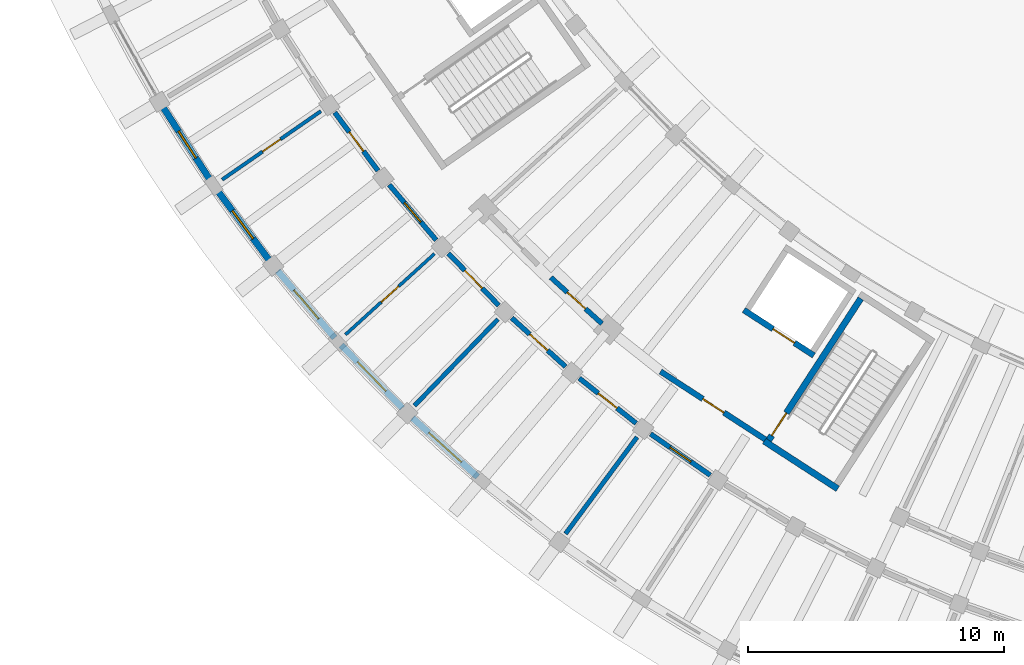
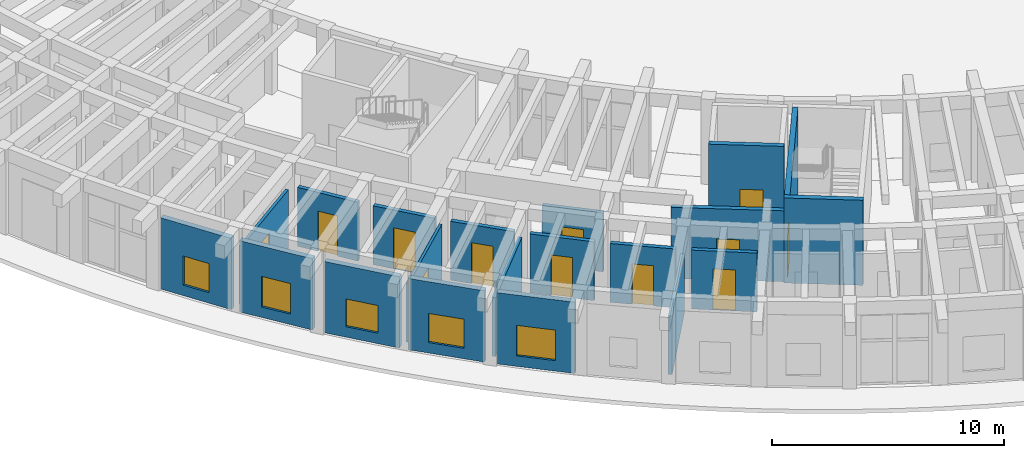
# One storey, part 86 of 132: 20 walls, 12 doors, 5 windows, 17 openings.
"""IFC4 building model written with IfcOpenShell, lengths in metres."""

import ifcopenshell
import ifcopenshell.guid

model = None  # the IFC model being written
_history = None  # IfcOwnerHistory: only IFC2X3 demands one
_inside = {}  # id of a spatial element -> (the spatial element, [elements in it])
_under = {}  # id of a project, library or spatial element -> (it, [spatial elements below it])
_declared = {}  # id of a project -> (the project, [libraries it declares])
_typed = {}  # id of a type object -> (the type object, [elements of that type])
_made_of = {}  # id of a material, layer set ... -> (it, [elements and type objects made of it])


def new_model(schema):
    """Start an empty IFC model of exactly this schema.

    Asked for "IFC4X3", IfcOpenShell would pick the latest addendum, in which some entities
    have other attributes; the version numbers below select the first issue.
    IFC2X3 requires an IfcOwnerHistory on every rooted entity: one is made here for all.
    """
    global model, _history
    if schema == "IFC4X3":
        model = ifcopenshell.file(schema_version=(4, 3, 0, 0))
    else:
        model = ifcopenshell.file(schema=schema)
    _inside.clear()
    _under.clear()
    _declared.clear()
    _typed.clear()
    _made_of.clear()
    _history = None
    if model.schema == "IFC2X3":
        org = make("IfcOrganization", Name="unknown")
        user = make(
            "IfcPersonAndOrganization",
            ThePerson=make("IfcPerson", FamilyName="unknown"),
            TheOrganization=org,
        )
        app = make(
            "IfcApplication",
            ApplicationDeveloper=org,
            Version="unknown",
            ApplicationFullName="unknown",
            ApplicationIdentifier="unknown",
        )
        _history = make(
            "IfcOwnerHistory",
            OwningUser=user,
            OwningApplication=app,
            ChangeAction="ADDED",
            CreationDate=0,
        )
    return model


def make(cls, **values):
    """One entity of the class cls with the attributes given. An attribute that is None is left unset."""
    return model.create_entity(
        cls, **{name: value for name, value in values.items() if value is not None}
    )


def rooted(cls, **values):
    """An entity with a GlobalId (a new one), such as an element, a storey or a relation."""
    return make(cls, GlobalId=ifcopenshell.guid.new(), OwnerHistory=_history, **values)


def si_unit(unit_type, name, prefix=None):
    """IfcSIUnit, for example si_unit("LENGTHUNIT", "METRE", prefix="MILLI")."""
    return make("IfcSIUnit", UnitType=unit_type, Prefix=prefix, Name=name)


def assignment(units):
    """IfcUnitAssignment: the units of a project."""
    return None if units is None else make("IfcUnitAssignment", Units=units)


def point(xyz):
    """IfcCartesianPoint."""
    return None if xyz is None else make("IfcCartesianPoint", Coordinates=xyz)


def direction(xyz):
    """IfcDirection."""
    return None if xyz is None else make("IfcDirection", DirectionRatios=xyz)


def frame(location, z_axis=None, x_axis=None):
    """IfcAxis2Placement3D, a coordinate frame: its origin and axes. An axis left out is left unset."""
    return make(
        "IfcAxis2Placement3D",
        Location=point(location),
        Axis=direction(z_axis),
        RefDirection=direction(x_axis),
    )


def frame_2d(location, x_axis=None):
    """IfcAxis2Placement2D, a coordinate frame in the plane: its origin and x axis."""
    return make(
        "IfcAxis2Placement2D", Location=point(location), RefDirection=direction(x_axis)
    )


def origin():
    """The frame at (0, 0, 0) with its axes left unset."""
    return frame((0.0, 0.0, 0.0))


def place(relative_to, where):
    """IfcLocalPlacement: puts the frame where relative to a parent placement (None: the world)."""
    return make(
        "IfcLocalPlacement", PlacementRelTo=relative_to, RelativePlacement=where
    )


def context(
    kind, dimensions, precision=None, world=None, true_north=None, identifier=None
):
    """IfcGeometricRepresentationContext, for example the 3D "Model" context."""
    return make(
        "IfcGeometricRepresentationContext",
        ContextIdentifier=identifier,
        ContextType=kind,
        CoordinateSpaceDimension=dimensions,
        Precision=precision,
        WorldCoordinateSystem=world,
        TrueNorth=true_north,
    )


def subcontext(parent, identifier, kind, view, scale=None):
    """IfcGeometricRepresentationSubContext, for example "Body" below "Model"."""
    return make(
        "IfcGeometricRepresentationSubContext",
        ContextIdentifier=identifier,
        ContextType=kind,
        ParentContext=parent,
        TargetScale=scale,
        TargetView=view,
    )


def project(units=None, contexts=None):
    """IfcProject with its units and contexts."""
    return rooted(
        "IfcProject",
        Name="project",
        RepresentationContexts=contexts,
        UnitsInContext=assignment(units),
    )


def spatial(cls, under=None, at=None, **own):
    """A site, building, storey or space (cls), placed at a placement, below another one or the project."""
    s = rooted(cls, ObjectPlacement=at, **own)
    if under is not None:
        _under.setdefault(under.id(), (under, []))[1].append(s)
    return s


def profile(cls, at=None, kind="AREA", **sizes):
    """A parametric profile (cls). Its sizes go by their IFC names, for example OverallWidth=200.0."""
    return make(cls, ProfileType=kind, Position=at, **sizes)


def rectangle(**sizes):
    """IfcRectangleProfileDef."""
    return profile("IfcRectangleProfileDef", **sizes)


def extrude(swept, where, along, depth):
    """IfcExtrudedAreaSolid: the profile swept, set in the frame where, extruded along a direction by depth."""
    return make(
        "IfcExtrudedAreaSolid",
        SweptArea=swept,
        Position=where,
        ExtrudedDirection=direction(along),
        Depth=depth,
    )


def shape(context_of_items, identifier, shape_type, items):
    """IfcShapeRepresentation: the items that make up one representation, for example the "Body"."""
    return make(
        "IfcShapeRepresentation",
        ContextOfItems=context_of_items,
        RepresentationIdentifier=identifier,
        RepresentationType=shape_type,
        Items=items,
    )


def material(Name=None, Category=None):
    """IfcMaterial."""
    return make("IfcMaterial", Name=Name, Category=Category)


def layer(
    of_material, thickness, ventilated=None, Name=None, Category=None, Priority=None
):
    """IfcMaterialLayer: one layer of a wall or slab, of a material (None: an air gap)."""
    return make(
        "IfcMaterialLayer",
        Material=of_material,
        LayerThickness=thickness,
        IsVentilated=ventilated,
        Name=Name,
        Category=Category,
        Priority=Priority,
    )


def layer_set(layers, Name=None):
    """IfcMaterialLayerSet."""
    return make("IfcMaterialLayerSet", MaterialLayers=layers, LayerSetName=Name)


def made_of(thing, what):
    """Note that an element or type object is made of a material, layer set ...; save() writes the relation."""
    if what is not None:
        _made_of.setdefault(what.id(), (what, []))[1].append(thing)
    return thing


def type_object(cls, material=None, **own):
    """A type object (cls), such as IfcWallType, which elements share."""
    return made_of(rooted(cls, **own), material)


def element(
    cls,
    number,
    at=None,
    inside=None,
    cuts=None,
    type_object=None,
    material=None,
    context=None,
    identifier="Body",
    shape_type=None,
    held_by="IfcProductDefinitionShape",
    body=None,
    shapes=None,
    **own,
):
    """One element of the class cls, such as IfcWall. Its Tag is "e" and its number.

    at: its placement. inside: the storey or other place that contains it. cuts: it is an
    opening in that element (IfcRelVoidsElement). A single representation is given by context,
    identifier, shape_type and body (its items); several are given by shapes. held_by: the class
    of the entity that holds the representations. save() writes the other relations.
    """
    e = rooted(cls, Tag="e%d" % number, ObjectPlacement=at, **own)
    if body is not None:
        shapes = [shape(context, identifier, shape_type, body)]
    if shapes is not None:
        e.Representation = make(held_by, Representations=shapes)
    if inside is not None:
        _inside.setdefault(inside.id(), (inside, []))[1].append(e)
    if cuts is not None:
        rooted(
            "IfcRelVoidsElement", RelatingBuildingElement=cuts, RelatedOpeningElement=e
        )
    if type_object is not None:
        _typed.setdefault(type_object.id(), (type_object, []))[1].append(e)
    return made_of(e, material)


def fill(opening, filler):
    """IfcRelFillsElement: the door or window that sits in an opening."""
    return rooted(
        "IfcRelFillsElement",
        RelatingOpeningElement=opening,
        RelatedBuildingElement=filler,
    )


def aggregate(whole, parts):
    """IfcRelAggregates: a whole, such as a stair, and the parts it consists of."""
    return rooted("IfcRelAggregates", RelatingObject=whole, RelatedObjects=parts)


def save(model, path):
    """Write the relations noted so far, then the file.

    IfcRelAggregates (storeys below a building ...), IfcRelContainedInSpatialStructure (elements
    in a storey), IfcRelDefinesByType, IfcRelAssociatesMaterial and IfcRelDeclares: one each for
    every whole, place, type object, material and project.
    """
    for whole, parts in _under.values():
        aggregate(whole, parts)
    for where, things in _inside.values():
        rooted(
            "IfcRelContainedInSpatialStructure",
            RelatedElements=things,
            RelatingStructure=where,
        )
    for kind, things in _typed.values():
        rooted("IfcRelDefinesByType", RelatedObjects=things, RelatingType=kind)
    for what, things in _made_of.values():
        rooted("IfcRelAssociatesMaterial", RelatedObjects=things, RelatingMaterial=what)
    for by, libraries in _declared.values():
        rooted("IfcRelDeclares", RelatingContext=by, RelatedDefinitions=libraries)
    model.write(path)


model = new_model("IFC4")

# Units and contexts
model_context = context("Model", 3, precision=1e-05, world=origin(), true_north=direction((0.0, 1.0)))
body_context = subcontext(model_context, "Body", "Model", "MODEL_VIEW")
ifc_project = project(units=[si_unit("LENGTHUNIT", "METRE"), si_unit("AREAUNIT", "SQUARE_METRE"), si_unit("VOLUMEUNIT", "CUBIC_METRE"), si_unit("PLANEANGLEUNIT", "RADIAN"), si_unit("MASSUNIT", "GRAM", prefix="KILO")], contexts=[model_context])

# Site, building, storey
site_placement = place(None, origin())
site = spatial("IfcSite", under=ifc_project, at=site_placement, CompositionType="ELEMENT")
building_placement = place(site_placement, origin())
building = spatial("IfcBuilding", under=site, at=building_placement, Name="Tanwirah Colonnade Gardens", CompositionType="ELEMENT")
storey_placement = place(building_placement, origin())
storey = spatial("IfcBuildingStorey", under=building, at=storey_placement, Name="L00", CompositionType="ELEMENT", Elevation=0.0)

# Wall, opening, window
ifc_material_1 = material(Name="Limestone architectural precast concrete C40/50", Category="masonry")
ifc_layer_1 = layer(ifc_material_1, 0.260009765625)
ifc_layer_set_1 = layer_set([ifc_layer_1], Name="Limestone architectural precast concrete C40/50")
wall_type_1 = type_object("IfcWallType", Name="EW-PC260", PredefinedType="SOLIDWALL", material=ifc_layer_set_1)
wall_1_placement = place(storey_placement, frame((14.10498046875, 33.5986328125, 0.0), z_axis=(0.0, 0.0, 1.0), x_axis=(0.54279171039, -0.839867346152, 0.0)))
wall_1 = element("IfcWall", 1, at=wall_1_placement, inside=storey, type_object=wall_type_1, Name="Block C L00 OUT Precast Facade Wall 4", PredefinedType="SOLIDWALL", context=body_context, shape_type="SweptSolid", body=[
    extrude(rectangle(XDim=3.436767578125, YDim=0.260009765625, at=frame_2d((1.71826171875, 0.0))), origin(), (0.0, 0.0, 1.0), 3.7548828125),
])
opening_1_placement = place(wall_1_placement, frame((1.098388671875, 0.0, 0.550048828125)))
opening_1 = element("IfcOpeningElement", 2, at=opening_1_placement, cuts=wall_1, Name="Opening WIN-U03", PredefinedType="OPENING", context=body_context, shape_type="SweptSolid", body=[
    extrude(rectangle(XDim=1.239990234375, YDim=1.534912109375, at=frame_2d((0.6201171875, 0.767578125))), frame((0.0, 0.139892578125, 0.0), z_axis=(0.0, -1.0, 0.0), x_axis=(1.0, 0.0, 0.0)), (0.0, 0.0, 1.0), 0.280029296875),
])
ifc_material_2 = material(Name="Thermally broken bronze aluminium and solar low-E double glazing", Category="aluminium")
window_type_1 = type_object("IfcWindowType", Name="WIN-U03", PartitioningType="DOUBLE_PANEL_VERTICAL", PredefinedType="WINDOW", material=ifc_material_2)
window_1_placement = place(opening_1_placement, origin())
window_1 = element("IfcWindow", 3, at=window_1_placement, inside=storey, type_object=window_type_1, Name="Facade window C-L00-OUT-04", OverallHeight=1.534912109375, OverallWidth=1.239990234375, PartitioningType="SINGLE_PANEL", PredefinedType="WINDOW", context=body_context, shape_type="SweptSolid", body=[
    extrude(rectangle(XDim=1.239990234375, YDim=1.534912109375, at=frame_2d((0.6201171875, 0.767578125))), frame((0.0, 0.030029296875, 0.0), z_axis=(0.0, -1.0, 0.0), x_axis=(1.0, 0.0, 0.0)), (0.0, 0.0, 1.0), 0.06005859375),
])
fill(opening_1, window_1)

wall_2_placement = place(storey_placement, frame((16.181396484375, 30.408203125, 0.0), z_axis=(0.0, 0.0, 1.0), x_axis=(0.596562008048, -0.802566988203, 0.0)))
wall_2 = element("IfcWall", 4, at=wall_2_placement, inside=storey, type_object=wall_type_1, Name="Block C L00 OUT Precast Facade Wall 5", PredefinedType="SOLIDWALL", context=body_context, shape_type="SweptSolid", body=[
    extrude(rectangle(XDim=3.436767578125, YDim=0.260009765625, at=frame_2d((1.71826171875, 0.0))), origin(), (0.0, 0.0, 1.0), 3.7548828125),
])
opening_2_placement = place(wall_2_placement, frame((1.038330078125, 0.0, 0.550048828125)))
opening_2 = element("IfcOpeningElement", 5, at=opening_2_placement, cuts=wall_2, Name="Opening WIN-U06", PredefinedType="OPENING", context=body_context, shape_type="SweptSolid", body=[
    extrude(rectangle(XDim=1.360107421875, YDim=1.610107421875, at=frame_2d((0.68017578125, 0.80517578125))), frame((0.0, 0.139892578125, 0.0), z_axis=(0.0, -1.0, 0.0), x_axis=(1.0, 0.0, 0.0)), (0.0, 0.0, 1.0), 0.280029296875),
])
window_type_2 = type_object("IfcWindowType", Name="WIN-U06", PartitioningType="DOUBLE_PANEL_VERTICAL", PredefinedType="WINDOW", material=ifc_material_2)
window_2_placement = place(opening_2_placement, origin())
window_2 = element("IfcWindow", 6, at=window_2_placement, inside=storey, type_object=window_type_2, Name="Facade window C-L00-OUT-05", OverallHeight=1.610107421875, OverallWidth=1.360107421875, PartitioningType="SINGLE_PANEL", PredefinedType="WINDOW", context=body_context, shape_type="SweptSolid", body=[
    extrude(rectangle(XDim=1.360107421875, YDim=1.610107421875, at=frame_2d((0.68017578125, 0.80517578125))), frame((0.0, 0.030029296875, 0.0), z_axis=(0.0, -1.0, 0.0), x_axis=(1.0, 0.0, 0.0)), (0.0, 0.0, 1.0), 0.06005859375),
])
fill(opening_2, window_2)

wall_3_placement = place(storey_placement, frame((18.57373046875, 27.2197265625, 0.0), z_axis=(0.0, 0.0, 1.0), x_axis=(0.6477968765, -0.7618131049, 0.0)))
wall_3 = element("IfcWall", 7, at=wall_3_placement, inside=storey, type_object=wall_type_1, Name="Block C L00 OUT Precast Facade Wall 6", PredefinedType="SOLIDWALL", context=body_context, shape_type="SweptSolid", body=[
    extrude(rectangle(XDim=3.436767578125, YDim=0.260009765625, at=frame_2d((1.71826171875, 0.0))), origin(), (0.0, 0.0, 1.0), 3.7548828125),
])
opening_3_placement = place(wall_3_placement, frame((0.978515625, 0.0, 0.550048828125)))
opening_3 = element("IfcOpeningElement", 8, at=opening_3_placement, cuts=wall_3, Name="Opening WIN-U09", PredefinedType="OPENING", context=body_context, shape_type="SweptSolid", body=[
    extrude(rectangle(XDim=1.47998046875, YDim=1.4599609375, at=frame_2d((0.739990234375, 0.72998046875))), frame((0.0, 0.139892578125, 0.0), z_axis=(0.0, -1.0, 0.0), x_axis=(1.0, 0.0, 0.0)), (0.0, 0.0, 1.0), 0.280029296875),
])
window_type_3 = type_object("IfcWindowType", Name="WIN-U09", PartitioningType="DOUBLE_PANEL_VERTICAL", PredefinedType="WINDOW", material=ifc_material_2)
window_3_placement = place(opening_3_placement, origin())
window_3 = element("IfcWindow", 9, at=window_3_placement, inside=storey, type_object=window_type_3, Name="Facade window C-L00-OUT-06", OverallHeight=1.4599609375, OverallWidth=1.47998046875, PartitioningType="SINGLE_PANEL", PredefinedType="WINDOW", context=body_context, shape_type="SweptSolid", body=[
    extrude(rectangle(XDim=1.47998046875, YDim=1.4599609375, at=frame_2d((0.739990234375, 0.72998046875))), frame((0.0, 0.030029296875, 0.0), z_axis=(0.0, -1.0, 0.0), x_axis=(1.0, 0.0, 0.0)), (0.0, 0.0, 1.0), 0.06005859375),
])
fill(opening_3, window_3)

wall_4_placement = place(storey_placement, frame((21.048828125, 24.327880859375, 0.0), z_axis=(0.0, 0.0, 1.0), x_axis=(0.696226819082, -0.717821855609, 0.0)))
wall_4 = element("IfcWall", 10, at=wall_4_placement, inside=storey, type_object=wall_type_1, Name="Block C L00 OUT Precast Facade Wall 7", PredefinedType="SOLIDWALL", context=body_context, shape_type="SweptSolid", body=[
    extrude(rectangle(XDim=3.436767578125, YDim=0.260009765625, at=frame_2d((1.71826171875, 0.0))), origin(), (0.0, 0.0, 1.0), 3.7548828125),
])
opening_4_placement = place(wall_4_placement, frame((0.91845703125, 0.0, 0.550048828125)))
opening_4 = element("IfcOpeningElement", 11, at=opening_4_placement, cuts=wall_4, Name="Opening WIN-U12", PredefinedType="OPENING", context=body_context, shape_type="SweptSolid", body=[
    extrude(rectangle(XDim=1.60009765625, YDim=1.534912109375, at=frame_2d((0.800048828125, 0.767578125))), frame((0.0, 0.139892578125, 0.0), z_axis=(0.0, -1.0, 0.0), x_axis=(1.0, 0.0, 0.0)), (0.0, 0.0, 1.0), 0.280029296875),
])
window_type_4 = type_object("IfcWindowType", Name="WIN-U12", PartitioningType="DOUBLE_PANEL_VERTICAL", PredefinedType="WINDOW", material=ifc_material_2)
window_4_placement = place(opening_4_placement, origin())
window_4 = element("IfcWindow", 12, at=window_4_placement, inside=storey, type_object=window_type_4, Name="Facade window C-L00-OUT-07", OverallHeight=1.534912109375, OverallWidth=1.60009765625, PartitioningType="SINGLE_PANEL", PredefinedType="WINDOW", context=body_context, shape_type="SweptSolid", body=[
    extrude(rectangle(XDim=1.60009765625, YDim=1.534912109375, at=frame_2d((0.800048828125, 0.767578125))), frame((0.0, 0.030029296875, 0.0), z_axis=(0.0, -1.0, 0.0), x_axis=(1.0, 0.0, 0.0)), (0.0, 0.0, 1.0), 0.06005859375),
])
fill(opening_4, window_4)

wall_5_placement = place(storey_placement, frame((23.837158203125, 21.478759765625, 0.0), z_axis=(0.0, 0.0, 1.0), x_axis=(0.741699000924, -0.670732876806, 0.0)))
wall_5 = element("IfcWall", 13, at=wall_5_placement, inside=storey, type_object=wall_type_1, Name="Block C L00 OUT Precast Facade Wall 8", PredefinedType="SOLIDWALL", context=body_context, shape_type="SweptSolid", body=[
    extrude(rectangle(XDim=3.436767578125, YDim=0.260009765625, at=frame_2d((1.71826171875, 0.0))), origin(), (0.0, 0.0, 1.0), 3.7548828125),
])
opening_5_placement = place(wall_5_placement, frame((0.8583984375, 0.0, 0.550048828125)))
opening_5 = element("IfcOpeningElement", 14, at=opening_5_placement, cuts=wall_5, Name="Opening WIN-U15", PredefinedType="OPENING", context=body_context, shape_type="SweptSolid", body=[
    extrude(rectangle(XDim=1.719970703125, YDim=1.610107421875, at=frame_2d((0.85986328125, 0.80517578125))), frame((0.0, 0.139892578125, 0.0), z_axis=(0.0, -1.0, 0.0), x_axis=(1.0, 0.0, 0.0)), (0.0, 0.0, 1.0), 0.280029296875),
])
window_type_5 = type_object("IfcWindowType", Name="WIN-U15", PartitioningType="DOUBLE_PANEL_VERTICAL", PredefinedType="WINDOW", material=ifc_material_2)
window_5_placement = place(opening_5_placement, origin())
window_5 = element("IfcWindow", 15, at=window_5_placement, inside=storey, type_object=window_type_5, Name="Facade window C-L00-OUT-08", OverallHeight=1.610107421875, OverallWidth=1.719970703125, PartitioningType="SINGLE_PANEL", PredefinedType="WINDOW", context=body_context, shape_type="SweptSolid", body=[
    extrude(rectangle(XDim=1.719970703125, YDim=1.610107421875, at=frame_2d((0.85986328125, 0.80517578125))), frame((0.0, 0.030029296875, 0.0), z_axis=(0.0, -1.0, 0.0), x_axis=(1.0, 0.0, 0.0)), (0.0, 0.0, 1.0), 0.06005859375),
])
fill(opening_5, window_5)

# Wall, opening, door
ifc_material_3 = material(Name="Precast concrete C40/50", Category="concrete")
ifc_layer_2 = layer(ifc_material_3, 0.195068359375)
ifc_layer_set_2 = layer_set([ifc_layer_2], Name="Precast concrete C40/50")
wall_type_2 = type_object("IfcWallType", Name="IW-CORR195", PredefinedType="PARTITIONING", material=ifc_layer_set_2)
wall_6_placement = place(storey_placement, frame((20.798828125, 33.410888671875, 0.0), z_axis=(0.0, 0.0, 1.0), x_axis=(0.596552136601, -0.802574325727, 0.0)))
wall_6 = element("IfcWall", 16, at=wall_6_placement, inside=storey, type_object=wall_type_2, Name="Block C L00 OUT Corridor Wall 5", PredefinedType="PARTITIONING", context=body_context, shape_type="SweptSolid", body=[
    extrude(rectangle(XDim=2.8369140625, YDim=0.195068359375, at=frame_2d((1.41845703125, 0.0))), origin(), (0.0, 0.0, 1.0), 3.10009765625),
])
opening_6_placement = place(wall_6_placement, frame((0.95361328125, 0.0, 0.0)))
opening_6 = element("IfcOpeningElement", 17, at=opening_6_placement, cuts=wall_6, Name="Opening L00-AD1291", PredefinedType="OPENING", context=body_context, shape_type="SweptSolid", body=[
    extrude(rectangle(XDim=0.929931640625, YDim=2.1201171875, at=frame_2d((0.46484375, 1.06005859375))), frame((0.0, 0.107421875, 0.0), z_axis=(0.0, -1.0, 0.0), x_axis=(1.0, 0.0, 0.0)), (0.0, 0.0, 1.0), 0.215087890625),
])
ifc_material_4 = material(Name="Solid oak fire-resisting apartment entrance door")
door_type_1 = type_object("IfcDoorType", Name="ID-FLT093", OperationType="NOTDEFINED", PredefinedType="DOOR", material=ifc_material_4)
door_1_placement = place(opening_6_placement, origin())
door_1 = element("IfcDoor", 18, at=door_1_placement, inside=storey, type_object=door_type_1, Name="Apartment corridor door L00-AD1291", OperationType="SINGLE_SWING_RIGHT", OverallHeight=2.1201171875, OverallWidth=0.929931640625, PredefinedType="DOOR", context=body_context, shape_type="SweptSolid", body=[
    extrude(rectangle(XDim=0.929931640625, YDim=2.1201171875, at=frame_2d((0.46484375, 1.06005859375))), frame((0.0, 0.02490234375, 0.0), z_axis=(0.0, -1.0, 0.0), x_axis=(1.0, 0.0, 0.0)), (0.0, 0.0, 1.0), 0.050048828125),
])
fill(opening_6, door_1)

wall_7_placement = place(storey_placement, frame((22.9267578125, 30.58642578125, 0.0), z_axis=(0.0, 0.0, 1.0), x_axis=(0.64778830669, -0.761820392032, 0.0)))
wall_7 = element("IfcWall", 19, at=wall_7_placement, inside=storey, type_object=wall_type_2, Name="Block C L00 OUT Corridor Wall 6", PredefinedType="PARTITIONING", context=body_context, shape_type="SweptSolid", body=[
    extrude(rectangle(XDim=2.8369140625, YDim=0.195068359375, at=frame_2d((1.41845703125, 0.0))), origin(), (0.0, 0.0, 1.0), 3.10009765625),
])
opening_7_placement = place(wall_7_placement, frame((0.923583984375, 0.0, 0.0)))
opening_7 = element("IfcOpeningElement", 20, at=opening_7_placement, cuts=wall_7, Name="Opening L00-AD1292", PredefinedType="OPENING", context=body_context, shape_type="SweptSolid", body=[
    extrude(rectangle(XDim=0.989990234375, YDim=2.159912109375, at=frame_2d((0.4951171875, 1.080078125))), frame((0.0, 0.107421875, 0.0), z_axis=(0.0, -1.0, 0.0), x_axis=(1.0, 0.0, 0.0)), (0.0, 0.0, 1.0), 0.215087890625),
])
door_type_2 = type_object("IfcDoorType", Name="ID-FLT099", OperationType="NOTDEFINED", PredefinedType="DOOR", material=ifc_material_4)
door_2_placement = place(opening_7_placement, origin())
door_2 = element("IfcDoor", 21, at=door_2_placement, inside=storey, type_object=door_type_2, Name="Apartment corridor door L00-AD1292", OperationType="SINGLE_SWING_LEFT", OverallHeight=2.159912109375, OverallWidth=0.989990234375, PredefinedType="DOOR", context=body_context, shape_type="SweptSolid", body=[
    extrude(rectangle(XDim=0.989990234375, YDim=2.159912109375, at=frame_2d((0.4951171875, 1.080078125))), frame((0.0, 0.02490234375, 0.0), z_axis=(0.0, -1.0, 0.0), x_axis=(1.0, 0.0, 0.0)), (0.0, 0.0, 1.0), 0.050048828125),
])
fill(opening_7, door_2)

wall_8_placement = place(storey_placement, frame((25.23486328125, 27.9072265625, 0.0), z_axis=(0.0, 0.0, 1.0), x_axis=(0.696223786753, -0.717824796701, 0.0)))
wall_8 = element("IfcWall", 22, at=wall_8_placement, inside=storey, type_object=wall_type_2, Name="Block C L00 OUT Corridor Wall 7", PredefinedType="PARTITIONING", context=body_context, shape_type="SweptSolid", body=[
    extrude(rectangle(XDim=2.8369140625, YDim=0.195068359375, at=frame_2d((1.41845703125, 0.0))), origin(), (0.0, 0.0, 1.0), 3.10009765625),
])
opening_8_placement = place(wall_8_placement, frame((0.93359375, 0.0, 0.0)))
opening_8 = element("IfcOpeningElement", 23, at=opening_8_placement, cuts=wall_8, Name="Opening L00-AD1295", PredefinedType="OPENING", context=body_context, shape_type="SweptSolid", body=[
    extrude(rectangle(XDim=0.969970703125, YDim=2.14990234375, at=frame_2d((0.48486328125, 1.074951171875))), frame((0.0, 0.107421875, 0.0), z_axis=(0.0, -1.0, 0.0), x_axis=(1.0, 0.0, 0.0)), (0.0, 0.0, 1.0), 0.215087890625),
])
door_type_3 = type_object("IfcDoorType", Name="ID-FLT097", OperationType="NOTDEFINED", PredefinedType="DOOR", material=ifc_material_4)
door_3_placement = place(opening_8_placement, origin())
door_3 = element("IfcDoor", 24, at=door_3_placement, inside=storey, type_object=door_type_3, Name="Apartment corridor door L00-AD1295", OperationType="SINGLE_SWING_RIGHT", OverallHeight=2.14990234375, OverallWidth=0.969970703125, PredefinedType="DOOR", context=body_context, shape_type="SweptSolid", body=[
    extrude(rectangle(XDim=0.969970703125, YDim=2.14990234375, at=frame_2d((0.48486328125, 1.074951171875))), frame((0.0, 0.02490234375, 0.0), z_axis=(0.0, -1.0, 0.0), x_axis=(1.0, 0.0, 0.0)), (0.0, 0.0, 1.0), 0.050048828125),
])
fill(opening_8, door_3)

wall_9_placement = place(storey_placement, frame((27.71337890625, 25.385009765625, 0.0), z_axis=(0.0, 0.0, 1.0), x_axis=(0.741631592147, -0.670807410163, 0.0)))
wall_9 = element("IfcWall", 25, at=wall_9_placement, inside=storey, type_object=wall_type_2, Name="Block C L00 OUT Corridor Wall 8", PredefinedType="PARTITIONING", context=body_context, shape_type="SweptSolid", body=[
    extrude(rectangle(XDim=2.8369140625, YDim=0.195068359375, at=frame_2d((1.41845703125, 0.0))), origin(), (0.0, 0.0, 1.0), 3.10009765625),
])
opening_9_placement = place(wall_9_placement, frame((0.943603515625, 0.0, 0.0)))
opening_9 = element("IfcOpeningElement", 26, at=opening_9_placement, cuts=wall_9, Name="Opening L00-AD1297", PredefinedType="OPENING", context=body_context, shape_type="SweptSolid", body=[
    extrude(rectangle(XDim=0.949951171875, YDim=2.1298828125, at=frame_2d((0.47509765625, 1.06494140625))), frame((0.0, 0.107421875, 0.0), z_axis=(0.0, -1.0, 0.0), x_axis=(1.0, 0.0, 0.0)), (0.0, 0.0, 1.0), 0.215087890625),
])
door_type_4 = type_object("IfcDoorType", Name="ID-FLT095", OperationType="NOTDEFINED", PredefinedType="DOOR", material=ifc_material_4)
door_4_placement = place(opening_9_placement, origin())
door_4 = element("IfcDoor", 27, at=door_4_placement, inside=storey, type_object=door_type_4, Name="Apartment corridor door L00-AD1297", OperationType="SINGLE_SWING_LEFT", OverallHeight=2.1298828125, OverallWidth=0.949951171875, PredefinedType="DOOR", context=body_context, shape_type="SweptSolid", body=[
    extrude(rectangle(XDim=0.949951171875, YDim=2.1298828125, at=frame_2d((0.47509765625, 1.06494140625))), frame((0.0, 0.02490234375, 0.0), z_axis=(0.0, -1.0, 0.0), x_axis=(1.0, 0.0, 0.0)), (0.0, 0.0, 1.0), 0.050048828125),
])
fill(opening_9, door_4)

wall_10_placement = place(storey_placement, frame((29.241455078125, 26.967529296875, 0.0), z_axis=(0.0, 0.0, 1.0), x_axis=(0.74166462946, -0.670770882945, 0.0)))
wall_10 = element("IfcWall", 28, at=wall_10_placement, inside=storey, type_object=wall_type_2, Name="Block C L00 IN Corridor Wall 8", PredefinedType="PARTITIONING", context=body_context, shape_type="SweptSolid", body=[
    extrude(rectangle(XDim=2.693115234375, YDim=0.195068359375, at=frame_2d((1.3466796875, 0.0))), origin(), (0.0, 0.0, 1.0), 3.10009765625),
])
opening_10_placement = place(wall_10_placement, frame((0.866455078125, 0.0, 0.0)))
opening_10 = element("IfcOpeningElement", 29, at=opening_10_placement, cuts=wall_10, Name="Opening L00-AD1298", PredefinedType="OPENING", context=body_context, shape_type="SweptSolid", body=[
    extrude(rectangle(XDim=0.9599609375, YDim=2.10009765625, at=frame_2d((0.47998046875, 1.050048828125))), frame((0.0, 0.107421875, 0.0), z_axis=(0.0, -1.0, 0.0), x_axis=(1.0, 0.0, 0.0)), (0.0, 0.0, 1.0), 0.215087890625),
])
ifc_material_5 = material(Name="Accessible toilet outward-opening door")
door_type_5 = type_object("IfcDoorType", Name="ID-AWC096", OperationType="NOTDEFINED", PredefinedType="DOOR", material=ifc_material_5)
door_5_placement = place(opening_10_placement, origin())
door_5 = element("IfcDoor", 30, at=door_5_placement, inside=storey, type_object=door_type_5, Name="Apartment corridor door L00-AD1298", OperationType="SINGLE_SWING_RIGHT", OverallHeight=2.10009765625, OverallWidth=0.9599609375, PredefinedType="DOOR", context=body_context, shape_type="SweptSolid", body=[
    extrude(rectangle(XDim=0.9599609375, YDim=2.10009765625, at=frame_2d((0.47998046875, 1.050048828125))), frame((0.0, 0.02490234375, 0.0), z_axis=(0.0, -1.0, 0.0), x_axis=(1.0, 0.0, 0.0)), (0.0, 0.0, 1.0), 0.050048828125),
])
fill(opening_10, door_5)

wall_11_placement = place(storey_placement, frame((30.351318359375, 23.030029296875, 0.0), z_axis=(0.0, 0.0, 1.0), x_axis=(0.783965548427, -0.620804332201, 0.0)))
wall_11 = element("IfcWall", 31, at=wall_11_placement, inside=storey, type_object=wall_type_2, Name="Block C L00 OUT Corridor Wall 9", PredefinedType="PARTITIONING", context=body_context, shape_type="SweptSolid", body=[
    extrude(rectangle(XDim=2.8369140625, YDim=0.195068359375, at=frame_2d((1.41845703125, 0.0))), origin(), (0.0, 0.0, 1.0), 3.10009765625),
])
opening_11_placement = place(wall_11_placement, frame((0.95361328125, 0.0, 0.0)))
opening_11 = element("IfcOpeningElement", 32, at=opening_11_placement, cuts=wall_11, Name="Opening L00-AD1299", PredefinedType="OPENING", context=body_context, shape_type="SweptSolid", body=[
    extrude(rectangle(XDim=0.929931640625, YDim=2.1201171875, at=frame_2d((0.46484375, 1.06005859375))), frame((0.0, 0.107421875, 0.0), z_axis=(0.0, -1.0, 0.0), x_axis=(1.0, 0.0, 0.0)), (0.0, 0.0, 1.0), 0.215087890625),
])
door_6_placement = place(opening_11_placement, origin())
door_6 = element("IfcDoor", 33, at=door_6_placement, inside=storey, type_object=door_type_1, Name="Apartment corridor door L00-AD1299", OperationType="SINGLE_SWING_RIGHT", OverallHeight=2.1201171875, OverallWidth=0.929931640625, PredefinedType="DOOR", context=body_context, shape_type="SweptSolid", body=[
    extrude(rectangle(XDim=0.929931640625, YDim=2.1201171875, at=frame_2d((0.46484375, 1.06005859375))), frame((0.0, 0.02490234375, 0.0), z_axis=(0.0, -1.0, 0.0), x_axis=(1.0, 0.0, 0.0)), (0.0, 0.0, 1.0), 0.050048828125),
])
fill(opening_11, door_6)

wall_12_placement = place(storey_placement, frame((33.137939453125, 20.852783203125, 0.0), z_axis=(0.0, 0.0, 1.0), x_axis=(0.822870075235, -0.568229565653, 0.0)))
wall_12 = element("IfcWall", 34, at=wall_12_placement, inside=storey, type_object=wall_type_2, Name="Block C L00 OUT Corridor Wall 10", PredefinedType="PARTITIONING", context=body_context, shape_type="SweptSolid", body=[
    extrude(rectangle(XDim=2.8369140625, YDim=0.195068359375, at=frame_2d((1.41845703125, 0.0))), origin(), (0.0, 0.0, 1.0), 3.10009765625),
])
opening_12_placement = place(wall_12_placement, frame((0.923583984375, 0.0, 0.0)))
opening_12 = element("IfcOpeningElement", 35, at=opening_12_placement, cuts=wall_12, Name="Opening L00-AD1300", PredefinedType="OPENING", context=body_context, shape_type="SweptSolid", body=[
    extrude(rectangle(XDim=0.989990234375, YDim=2.159912109375, at=frame_2d((0.4951171875, 1.080078125))), frame((0.0, 0.107421875, 0.0), z_axis=(0.0, -1.0, 0.0), x_axis=(1.0, 0.0, 0.0)), (0.0, 0.0, 1.0), 0.215087890625),
])
door_7_placement = place(opening_12_placement, origin())
door_7 = element("IfcDoor", 36, at=door_7_placement, inside=storey, type_object=door_type_2, Name="Apartment corridor door L00-AD1300", OperationType="SINGLE_SWING_LEFT", OverallHeight=2.159912109375, OverallWidth=0.989990234375, PredefinedType="DOOR", context=body_context, shape_type="SweptSolid", body=[
    extrude(rectangle(XDim=0.989990234375, YDim=2.159912109375, at=frame_2d((0.4951171875, 1.080078125))), frame((0.0, 0.02490234375, 0.0), z_axis=(0.0, -1.0, 0.0), x_axis=(1.0, 0.0, 0.0)), (0.0, 0.0, 1.0), 0.050048828125),
])
fill(opening_12, door_7)

# Walls
ifc_layer_3 = layer(ifc_material_3, 0.175048828125)
ifc_layer_set_3 = layer_set([ifc_layer_3], Name="Precast concrete C40/50")
wall_type_3 = type_object("IfcWallType", Name="IW-DEM175", PredefinedType="PARTITIONING", material=ifc_layer_set_3)
for number, where, z_axis, x_axis, name in (
    (37, (27.17578125, 25.33203125, 0.0), (0.0, 0.0, 1.0), (-0.69466218314, -0.719336118456, 0.0), "Block C L00 Radial Partition 7"),
    (38, (32.61181640625, 20.72998046875, 0.0), (0.0, 0.0, 1.0), (-0.59482622273, -0.803854318116, 0.0), "Block C L00 Radial Partition 9"),
):
    element("IfcWall", number, at=place(storey_placement, frame(where, z_axis=z_axis, x_axis=x_axis)), inside=storey, type_object=wall_type_3, Name=name, PredefinedType="PARTITIONING", context=body_context, shape_type="SweptSolid", body=[
        extrude(rectangle(XDim=4.699951171875, YDim=0.175048828125, at=frame_2d((2.35009765625, 0.0))), origin(), (0.0, 0.0, 1.0), 3.10009765625),
    ])

# Wall, opening, door
ifc_material_6 = material(Name="Autoclaved aerated masonry blockwork", Category="masonry")
ifc_layer_4 = layer(ifc_material_6, 0.219970703125)
ifc_layer_set_4 = layer_set([ifc_layer_4], Name="Autoclaved aerated masonry blockwork")
wall_type_4 = type_object("IfcWallType", Name="IW-FFL220", PredefinedType="PARTITIONING", material=ifc_layer_set_4)
wall_13_placement = place(storey_placement, frame((37.638916015625, 20.623291015625, 0.0), z_axis=(0.0, 0.0, 1.0), x_axis=(-0.838681446513, 0.544622283124, 0.0)))
wall_13 = element("IfcWall", 39, at=wall_13_placement, inside=storey, type_object=wall_type_4, Name="CORE-C2 L00 Enclosed Lobby Fire Wall", PredefinedType="PARTITIONING", context=body_context, shape_type="SweptSolid", body=[
    extrude(rectangle(XDim=4.900146484375, YDim=0.219970703125, at=frame_2d((2.4501953125, 0.0))), origin(), (0.0, 0.0, 1.0), 3.739990234375),
])
opening_13_placement = place(wall_13_placement, frame((1.949951171875, 0.0, 0.0)))
opening_13 = element("IfcOpeningElement", 40, at=opening_13_placement, cuts=wall_13, Name="Opening L00-LD158", PredefinedType="OPENING", context=body_context, shape_type="SweptSolid", body=[
    extrude(rectangle(XDim=0.97998046875, YDim=2.139892578125, at=frame_2d((0.489990234375, 1.06982421875))), frame((0.0, 0.119873046875, 0.0), z_axis=(0.0, -1.0, 0.0), x_axis=(1.0, 0.0, 0.0)), (0.0, 0.0, 1.0), 0.239990234375),
])
ifc_material_7 = material(Name="Acoustic fire-resisting lobby door")
door_type_6 = type_object("IfcDoorType", Name="ID-FFL098", OperationType="NOTDEFINED", PredefinedType="DOOR", material=ifc_material_7)
door_8_placement = place(opening_13_placement, origin())
door_8 = element("IfcDoor", 41, at=door_8_placement, inside=storey, type_object=door_type_6, Name="CORE-C2 L00 Lobby Fire Door L00-LD158", OperationType="SINGLE_SWING_LEFT", OverallHeight=2.139892578125, OverallWidth=0.97998046875, PredefinedType="DOOR", context=body_context, shape_type="SweptSolid", body=[
    extrude(rectangle(XDim=0.97998046875, YDim=2.139892578125, at=frame_2d((0.489990234375, 1.06982421875))), frame((0.0, 0.02490234375, 0.0), z_axis=(0.0, -1.0, 0.0), x_axis=(1.0, 0.0, 0.0)), (0.0, 0.0, 1.0), 0.050048828125),
])
fill(opening_13, door_8)

ifc_material_8 = material(Name="Moisture-resistant gypsum stud partition")
ifc_layer_5 = layer(ifc_material_8, 0.125)
ifc_layer_set_5 = layer_set([ifc_layer_5], Name="Moisture-resistant gypsum stud partition")
wall_type_5 = type_object("IfcWallType", Name="IW-INT125", PredefinedType="PARTITIONING", material=ifc_layer_set_5)
wall_14_placement = place(storey_placement, frame((24.695068359375, 27.8896484375, 0.0), z_axis=(0.0, 0.0, 1.0), x_axis=(-0.740212663782, -0.672372822456, 0.0)))
wall_14 = element("IfcWall", 42, at=wall_14_placement, inside=storey, type_object=wall_type_5, Name="Block C L00 Radial Partition 6", PredefinedType="PARTITIONING", context=body_context, shape_type="SweptSolid", body=[
    extrude(rectangle(XDim=4.699951171875, YDim=0.125, at=frame_2d((2.35009765625, 0.0))), origin(), (0.0, 0.0, 1.0), 3.10009765625),
])
opening_14_placement = place(wall_14_placement, frame((1.89501953125, 0.0, 0.0)))
opening_14 = element("IfcOpeningElement", 43, at=opening_14_placement, cuts=wall_14, Name="Opening L00-RD1293", PredefinedType="OPENING", context=body_context, shape_type="SweptSolid", body=[
    extrude(rectangle(XDim=0.909912109375, YDim=2.10009765625, at=frame_2d((0.455078125, 1.050048828125))), frame((0.0, 0.072509765625, 0.0), z_axis=(0.0, -1.0, 0.0), x_axis=(1.0, 0.0, 0.0)), (0.0, 0.0, 1.0), 0.14501953125),
])
ifc_material_9 = material(Name="Painted hardwood internal room door", Category="wood")
door_type_7 = type_object("IfcDoorType", Name="ID-RM091", OperationType="NOTDEFINED", PredefinedType="DOOR", material=ifc_material_9)
door_9_placement = place(opening_14_placement, origin())
door_9 = element("IfcDoor", 44, at=door_9_placement, inside=storey, type_object=door_type_7, Name="Internal apartment door L00-RD1293", OperationType="SINGLE_SWING_LEFT", OverallHeight=2.10009765625, OverallWidth=0.909912109375, PredefinedType="DOOR", context=body_context, shape_type="SweptSolid", body=[
    extrude(rectangle(XDim=0.909912109375, YDim=2.10009765625, at=frame_2d((0.455078125, 1.050048828125))), frame((0.0, 0.02490234375, 0.0), z_axis=(0.0, -1.0, 0.0), x_axis=(1.0, 0.0, 0.0)), (0.0, 0.0, 1.0), 0.050048828125),
])
fill(opening_14, door_9)

ifc_material_10 = material(Name="Water-resistant acoustic plumbing partition")
ifc_layer_6 = layer(ifc_material_10, 0.139892578125)
ifc_layer_set_6 = layer_set([ifc_layer_6], Name="Water-resistant acoustic plumbing partition")
wall_type_6 = type_object("IfcWallType", Name="IW-WET140", PredefinedType="PLUMBINGWALL", material=ifc_layer_set_6)
wall_15_placement = place(storey_placement, frame((20.26123046875, 33.463623046875, 0.0), z_axis=(0.0, 0.0, 1.0), x_axis=(-0.821638260647, -0.570009270663, 0.0)))
wall_15 = element("IfcWall", 45, at=wall_15_placement, inside=storey, type_object=wall_type_6, Name="Block C L00 Radial Partition 4", PredefinedType="PLUMBINGWALL", context=body_context, shape_type="SweptSolid", body=[
    extrude(rectangle(XDim=4.699951171875, YDim=0.139892578125, at=frame_2d((2.35009765625, 0.0))), origin(), (0.0, 0.0, 1.0), 3.10009765625),
])
opening_15_placement = place(wall_15_placement, frame((1.925048828125, 0.0, 0.0)))
opening_15 = element("IfcOpeningElement", 46, at=opening_15_placement, cuts=wall_15, Name="Opening L00-RD1290", PredefinedType="OPENING", context=body_context, shape_type="SweptSolid", body=[
    extrude(rectangle(XDim=0.85009765625, YDim=2.050048828125, at=frame_2d((0.425048828125, 1.02490234375))), frame((0.0, 0.079833984375, 0.0), z_axis=(0.0, -1.0, 0.0), x_axis=(1.0, 0.0, 0.0)), (0.0, 0.0, 1.0), 0.159912109375),
])
ifc_material_11 = material(Name="Moisture-resistant en-suite door")
door_type_8 = type_object("IfcDoorType", Name="ID-WET085", OperationType="NOTDEFINED", PredefinedType="DOOR", material=ifc_material_11)
door_10_placement = place(opening_15_placement, origin())
door_10 = element("IfcDoor", 47, at=door_10_placement, inside=storey, type_object=door_type_8, Name="Internal apartment door L00-RD1290", OperationType="SINGLE_SWING_LEFT", OverallHeight=2.050048828125, OverallWidth=0.85009765625, PredefinedType="DOOR", context=body_context, shape_type="SweptSolid", body=[
    extrude(rectangle(XDim=0.85009765625, YDim=2.050048828125, at=frame_2d((0.425048828125, 1.02490234375))), frame((0.0, 0.02490234375, 0.0), z_axis=(0.0, -1.0, 0.0), x_axis=(1.0, 0.0, 0.0)), (0.0, 0.0, 1.0), 0.050048828125),
])
fill(opening_15, door_10)

# Wall
ifc_material_12 = material(Name="Concrete C45/55", Category="concrete")
ifc_layer_7 = layer(ifc_material_12, 0.25)
ifc_layer_set_7 = layer_set([ifc_layer_7], Name="Concrete C45/55")
wall_type_7 = type_object("IfcWallType", Name="SW-CORE250", PredefinedType="SHEAR", material=ifc_layer_set_7)
wall_16_placement = place(storey_placement, frame((40.449462890625, 18.708740234375, 0.0), z_axis=(0.0, 0.0, 1.0), x_axis=(-0.838678407117, 0.544626963559, 0.0)))
element("IfcWall", 48, at=wall_16_placement, inside=storey, type_object=wall_type_7, Name="CORE-C2 L00 Stair Shaft Shear Wall NEAR", PredefinedType="SHEAR", context=body_context, shape_type="SweptSolid", body=[
    extrude(rectangle(XDim=3.419921875, YDim=0.25, at=frame_2d((1.7099609375, 0.0))), origin(), (0.0, 0.0, 1.0), 4.47998046875),
])

# Wall, opening, door
wall_17_placement = place(storey_placement, frame((37.754150390625, 20.608154296875, 0.0), z_axis=(0.0, 0.0, 1.0), x_axis=(0.544655453679, 0.838659905312, 0.0)))
wall_17 = element("IfcWall", 49, at=wall_17_placement, inside=storey, type_object=wall_type_7, Name="CORE-C2 L00 Stair Shaft Shear Wall RIGHT", PredefinedType="SHEAR", context=body_context, shape_type="SweptSolid", body=[
    extrude(rectangle(XDim=6.60009765625, YDim=0.25, at=frame_2d((3.300048828125, 0.0))), origin(), (0.0, 0.0, 1.0), 4.47998046875),
])
opening_16_placement = place(wall_17_placement, frame((0.219970703125, 0.0, 0.0)))
opening_16 = element("IfcOpeningElement", 50, at=opening_16_placement, cuts=wall_17, Name="Opening L00-SD146", PredefinedType="OPENING", context=body_context, shape_type="SweptSolid", body=[
    extrude(rectangle(XDim=1.050048828125, YDim=2.14990234375, at=frame_2d((0.52490234375, 1.074951171875))), frame((0.0, 0.135009765625, 0.0), z_axis=(0.0, -1.0, 0.0), x_axis=(1.0, 0.0, 0.0)), (0.0, 0.0, 1.0), 0.27001953125),
])
ifc_material_13 = material(Name="Steel fire-resisting stair enclosure door", Category="steel")
door_type_9 = type_object("IfcDoorType", Name="ID-ST105", OperationType="NOTDEFINED", PredefinedType="DOOR", material=ifc_material_13)
door_11_placement = place(opening_16_placement, origin())
door_11 = element("IfcDoor", 51, at=door_11_placement, inside=storey, type_object=door_type_9, Name="CORE-C2 L00 Stair Fire Door L00-SD146", OperationType="SINGLE_SWING_LEFT", OverallHeight=2.14990234375, OverallWidth=1.050048828125, PredefinedType="DOOR", context=body_context, shape_type="SweptSolid", body=[
    extrude(rectangle(XDim=1.050048828125, YDim=2.14990234375, at=frame_2d((0.52490234375, 1.074951171875))), frame((0.0, 0.02490234375, 0.0), z_axis=(0.0, -1.0, 0.0), x_axis=(1.0, 0.0, 0.0)), (0.0, 0.0, 1.0), 0.050048828125),
])
fill(opening_16, door_11)

ifc_layer_8 = layer(ifc_material_12, 0.22998046875)
ifc_layer_set_8 = layer_set([ifc_layer_8], Name="Concrete C45/55")
wall_type_8 = type_object("IfcWallType", Name="SW-LIFT230", PredefinedType="SHEAR", material=ifc_layer_set_8)
wall_18_placement = place(storey_placement, frame((39.515869140625, 23.91748046875, 0.0), z_axis=(0.0, 0.0, 1.0), x_axis=(-0.838660840752, 0.544654013286, 0.0)))
wall_18 = element("IfcWall", 52, at=wall_18_placement, inside=storey, type_object=wall_type_8, Name="CORE-C2 L00 Lift Shaft Wall FRONT", PredefinedType="SHEAR", context=body_context, shape_type="SweptSolid", body=[
    extrude(rectangle(XDim=3.260009765625, YDim=0.22998046875, at=frame_2d((1.6298828125, 0.0))), origin(), (0.0, 0.0, 1.0), 4.47998046875),
])
opening_17_placement = place(wall_18_placement, frame((0.89990234375, 0.0, 0.0)))
opening_17 = element("IfcOpeningElement", 53, at=opening_17_placement, cuts=wall_18, Name="Opening L00-LD-PL-C2", PredefinedType="OPENING", context=body_context, shape_type="SweptSolid", body=[
    extrude(rectangle(XDim=1.0, YDim=2.14990234375, at=frame_2d((0.5, 1.074951171875))), frame((0.0, 0.125, 0.0), z_axis=(0.0, -1.0, 0.0), x_axis=(1.0, 0.0, 0.0)), (0.0, 0.0, 1.0), 0.25),
])
ifc_material_14 = material(Name="Bronze stainless steel sliding lift landing door", Category="steel")
door_type_10 = type_object("IfcDoorType", Name="LD-PS10", OperationType="DOUBLE_DOOR_SLIDING", PredefinedType="DOOR", material=ifc_material_14)
door_12_placement = place(opening_17_placement, origin())
door_12 = element("IfcDoor", 54, at=door_12_placement, inside=storey, type_object=door_type_10, Name="Lift PL-C2 L00 Sliding Landing Door", OperationType="DOUBLE_DOOR_SLIDING", OverallHeight=2.14990234375, OverallWidth=1.0, PredefinedType="DOOR", context=body_context, shape_type="SweptSolid", body=[
    extrude(rectangle(XDim=1.0, YDim=2.14990234375, at=frame_2d((0.5, 1.074951171875))), frame((0.0, 0.02490234375, 0.0), z_axis=(0.0, -1.0, 0.0), x_axis=(1.0, 0.0, 0.0)), (0.0, 0.0, 1.0), 0.050048828125),
])
fill(opening_17, door_12)

save(model, "model.ifc")
